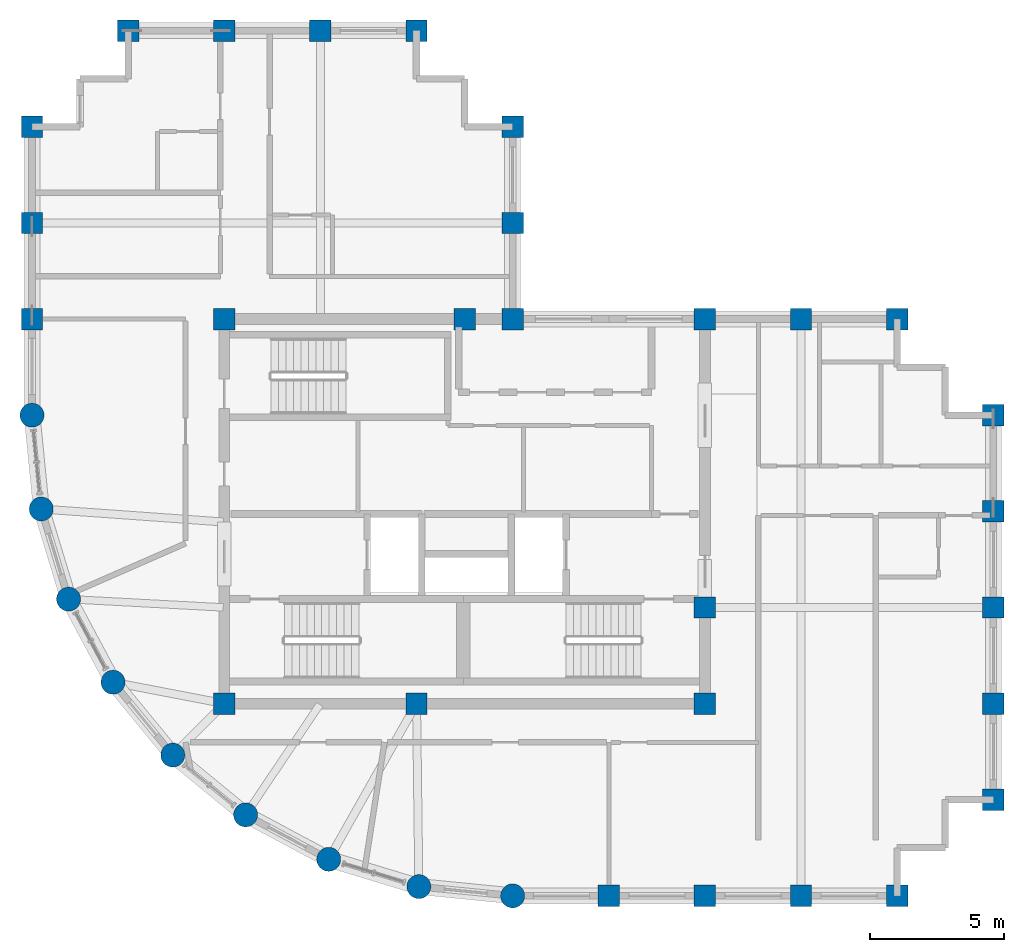
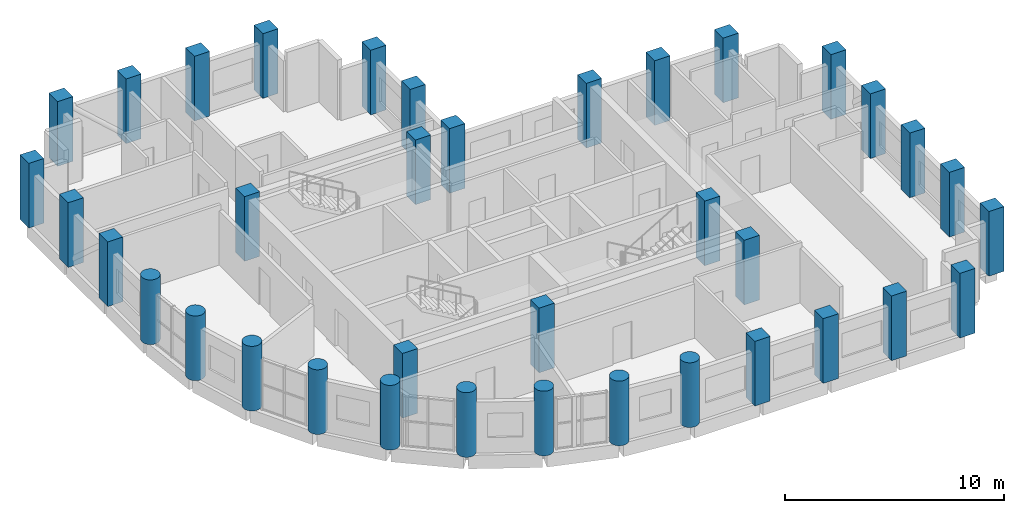
# One storey, part 1 of 11: 37 columns.
"""IFC4 building model written with IfcOpenShell, lengths in metres."""

import ifcopenshell
import ifcopenshell.guid

model = None  # the IFC model being written
_history = None  # IfcOwnerHistory: only IFC2X3 demands one
_inside = {}  # id of a spatial element -> (the spatial element, [elements in it])
_under = {}  # id of a project, library or spatial element -> (it, [spatial elements below it])
_declared = {}  # id of a project -> (the project, [libraries it declares])
_typed = {}  # id of a type object -> (the type object, [elements of that type])
_made_of = {}  # id of a material, layer set ... -> (it, [elements and type objects made of it])


def new_model(schema):
    """Start an empty IFC model of exactly this schema.

    Asked for "IFC4X3", IfcOpenShell would pick the latest addendum, in which some entities
    have other attributes; the version numbers below select the first issue.
    IFC2X3 requires an IfcOwnerHistory on every rooted entity: one is made here for all.
    """
    global model, _history
    if schema == "IFC4X3":
        model = ifcopenshell.file(schema_version=(4, 3, 0, 0))
    else:
        model = ifcopenshell.file(schema=schema)
    _inside.clear()
    _under.clear()
    _declared.clear()
    _typed.clear()
    _made_of.clear()
    _history = None
    if model.schema == "IFC2X3":
        org = make("IfcOrganization", Name="unknown")
        user = make(
            "IfcPersonAndOrganization",
            ThePerson=make("IfcPerson", FamilyName="unknown"),
            TheOrganization=org,
        )
        app = make(
            "IfcApplication",
            ApplicationDeveloper=org,
            Version="unknown",
            ApplicationFullName="unknown",
            ApplicationIdentifier="unknown",
        )
        _history = make(
            "IfcOwnerHistory",
            OwningUser=user,
            OwningApplication=app,
            ChangeAction="ADDED",
            CreationDate=0,
        )
    return model


def make(cls, **values):
    """One entity of the class cls with the attributes given. An attribute that is None is left unset."""
    return model.create_entity(
        cls, **{name: value for name, value in values.items() if value is not None}
    )


def rooted(cls, **values):
    """An entity with a GlobalId (a new one), such as an element, a storey or a relation."""
    return make(cls, GlobalId=ifcopenshell.guid.new(), OwnerHistory=_history, **values)


def si_unit(unit_type, name, prefix=None):
    """IfcSIUnit, for example si_unit("LENGTHUNIT", "METRE", prefix="MILLI")."""
    return make("IfcSIUnit", UnitType=unit_type, Prefix=prefix, Name=name)


def assignment(units):
    """IfcUnitAssignment: the units of a project."""
    return None if units is None else make("IfcUnitAssignment", Units=units)


def point(xyz):
    """IfcCartesianPoint."""
    return None if xyz is None else make("IfcCartesianPoint", Coordinates=xyz)


def direction(xyz):
    """IfcDirection."""
    return None if xyz is None else make("IfcDirection", DirectionRatios=xyz)


def frame(location, z_axis=None, x_axis=None):
    """IfcAxis2Placement3D, a coordinate frame: its origin and axes. An axis left out is left unset."""
    return make(
        "IfcAxis2Placement3D",
        Location=point(location),
        Axis=direction(z_axis),
        RefDirection=direction(x_axis),
    )


def frame_2d(location, x_axis=None):
    """IfcAxis2Placement2D, a coordinate frame in the plane: its origin and x axis."""
    return make(
        "IfcAxis2Placement2D", Location=point(location), RefDirection=direction(x_axis)
    )


def origin():
    """The frame at (0, 0, 0) with its axes left unset."""
    return frame((0.0, 0.0, 0.0))


def origin_2d():
    """The frame at (0, 0) in the plane with its x axis left unset."""
    return frame_2d((0.0, 0.0))


def place(relative_to, where):
    """IfcLocalPlacement: puts the frame where relative to a parent placement (None: the world)."""
    return make(
        "IfcLocalPlacement", PlacementRelTo=relative_to, RelativePlacement=where
    )


def context(
    kind, dimensions, precision=None, world=None, true_north=None, identifier=None
):
    """IfcGeometricRepresentationContext, for example the 3D "Model" context."""
    return make(
        "IfcGeometricRepresentationContext",
        ContextIdentifier=identifier,
        ContextType=kind,
        CoordinateSpaceDimension=dimensions,
        Precision=precision,
        WorldCoordinateSystem=world,
        TrueNorth=true_north,
    )


def subcontext(parent, identifier, kind, view, scale=None):
    """IfcGeometricRepresentationSubContext, for example "Body" below "Model"."""
    return make(
        "IfcGeometricRepresentationSubContext",
        ContextIdentifier=identifier,
        ContextType=kind,
        ParentContext=parent,
        TargetScale=scale,
        TargetView=view,
    )


def project(units=None, contexts=None):
    """IfcProject with its units and contexts."""
    return rooted(
        "IfcProject",
        Name="project",
        RepresentationContexts=contexts,
        UnitsInContext=assignment(units),
    )


def spatial(cls, under=None, at=None, **own):
    """A site, building, storey or space (cls), placed at a placement, below another one or the project."""
    s = rooted(cls, ObjectPlacement=at, **own)
    if under is not None:
        _under.setdefault(under.id(), (under, []))[1].append(s)
    return s


def profile(cls, at=None, kind="AREA", **sizes):
    """A parametric profile (cls). Its sizes go by their IFC names, for example OverallWidth=200.0."""
    return make(cls, ProfileType=kind, Position=at, **sizes)


def rectangle(**sizes):
    """IfcRectangleProfileDef."""
    return profile("IfcRectangleProfileDef", **sizes)


def circle(**sizes):
    """IfcCircleProfileDef."""
    return profile("IfcCircleProfileDef", **sizes)


def extrude(swept, where, along, depth):
    """IfcExtrudedAreaSolid: the profile swept, set in the frame where, extruded along a direction by depth."""
    return make(
        "IfcExtrudedAreaSolid",
        SweptArea=swept,
        Position=where,
        ExtrudedDirection=direction(along),
        Depth=depth,
    )


def shape(context_of_items, identifier, shape_type, items):
    """IfcShapeRepresentation: the items that make up one representation, for example the "Body"."""
    return make(
        "IfcShapeRepresentation",
        ContextOfItems=context_of_items,
        RepresentationIdentifier=identifier,
        RepresentationType=shape_type,
        Items=items,
    )


def material(Name=None, Category=None):
    """IfcMaterial."""
    return make("IfcMaterial", Name=Name, Category=Category)


def material_profile(
    of_material, cross_section, Name=None, Category=None, Priority=None
):
    """IfcMaterialProfile: a cross section and its material."""
    return make(
        "IfcMaterialProfile",
        Name=Name,
        Material=of_material,
        Profile=cross_section,
        Priority=Priority,
        Category=Category,
    )


def profile_set(profiles, Name=None, composite=None):
    """IfcMaterialProfileSet."""
    return make(
        "IfcMaterialProfileSet",
        Name=Name,
        MaterialProfiles=profiles,
        CompositeProfile=composite,
    )


def made_of(thing, what):
    """Note that an element or type object is made of a material, layer set ...; save() writes the relation."""
    if what is not None:
        _made_of.setdefault(what.id(), (what, []))[1].append(thing)
    return thing


def type_object(cls, material=None, **own):
    """A type object (cls), such as IfcWallType, which elements share."""
    return made_of(rooted(cls, **own), material)


def element(
    cls,
    number,
    at=None,
    inside=None,
    cuts=None,
    type_object=None,
    material=None,
    context=None,
    identifier="Body",
    shape_type=None,
    held_by="IfcProductDefinitionShape",
    body=None,
    shapes=None,
    **own,
):
    """One element of the class cls, such as IfcWall. Its Tag is "e" and its number.

    at: its placement. inside: the storey or other place that contains it. cuts: it is an
    opening in that element (IfcRelVoidsElement). A single representation is given by context,
    identifier, shape_type and body (its items); several are given by shapes. held_by: the class
    of the entity that holds the representations. save() writes the other relations.
    """
    e = rooted(cls, Tag="e%d" % number, ObjectPlacement=at, **own)
    if body is not None:
        shapes = [shape(context, identifier, shape_type, body)]
    if shapes is not None:
        e.Representation = make(held_by, Representations=shapes)
    if inside is not None:
        _inside.setdefault(inside.id(), (inside, []))[1].append(e)
    if cuts is not None:
        rooted(
            "IfcRelVoidsElement", RelatingBuildingElement=cuts, RelatedOpeningElement=e
        )
    if type_object is not None:
        _typed.setdefault(type_object.id(), (type_object, []))[1].append(e)
    return made_of(e, material)


def aggregate(whole, parts):
    """IfcRelAggregates: a whole, such as a stair, and the parts it consists of."""
    return rooted("IfcRelAggregates", RelatingObject=whole, RelatedObjects=parts)


def save(model, path):
    """Write the relations noted so far, then the file.

    IfcRelAggregates (storeys below a building ...), IfcRelContainedInSpatialStructure (elements
    in a storey), IfcRelDefinesByType, IfcRelAssociatesMaterial and IfcRelDeclares: one each for
    every whole, place, type object, material and project.
    """
    for whole, parts in _under.values():
        aggregate(whole, parts)
    for where, things in _inside.values():
        rooted(
            "IfcRelContainedInSpatialStructure",
            RelatedElements=things,
            RelatingStructure=where,
        )
    for kind, things in _typed.values():
        rooted("IfcRelDefinesByType", RelatedObjects=things, RelatingType=kind)
    for what, things in _made_of.values():
        rooted("IfcRelAssociatesMaterial", RelatedObjects=things, RelatingMaterial=what)
    for by, libraries in _declared.values():
        rooted("IfcRelDeclares", RelatingContext=by, RelatedDefinitions=libraries)
    model.write(path)


model = new_model("IFC4")

# Units and contexts
model_context = context("Model", 3, precision=1e-05, world=origin(), true_north=direction((0.0, 1.0)))
body_context = subcontext(model_context, "Body", "Model", "MODEL_VIEW")
ifc_project = project(units=[si_unit("LENGTHUNIT", "METRE"), si_unit("AREAUNIT", "SQUARE_METRE"), si_unit("VOLUMEUNIT", "CUBIC_METRE"), si_unit("PLANEANGLEUNIT", "RADIAN"), si_unit("MASSUNIT", "GRAM", prefix="KILO")], contexts=[model_context])

# Site, building, storey
site_placement = place(None, origin())
site = spatial("IfcSite", under=ifc_project, at=site_placement, CompositionType="ELEMENT")
building_placement = place(site_placement, origin())
building = spatial("IfcBuilding", under=site, at=building_placement, Name="Solnavia Interchange Tower", CompositionType="ELEMENT")
storey_placement = place(building_placement, frame((0.0, 0.0, 239.0)))
storey = spatial("IfcBuildingStorey", under=building, at=storey_placement, Name="L60", CompositionType="ELEMENT", Elevation=239.0)

# Columns
ifc_material = material(Name="Concrete C50/60", Category="concrete")
ifc_material_profile_1 = material_profile(ifc_material, rectangle(XDim=0.800048828125, YDim=0.800048828125, at=origin_2d()), Name="RC 800x800")
ifc_profile_set_1 = profile_set([ifc_material_profile_1], Name="Concrete C50/60")
column_type_1 = type_object("IfcColumnType", Name="Col-RC-800x800", PredefinedType="COLUMN", material=ifc_profile_set_1)
for number, where, z_axis, x_axis, name in (
    (1, (7.199951171875, 25.199951171875, 0.0), (0.0, 0.0, 1.0), (0.0, 1.0, 0.0), "COL-L60-02 Tower perim y column"),
    (2, (7.199951171875, 28.800048828125, 0.0), (0.0, 0.0, 1.0), (0.0, 1.0, 0.0), "COL-L60-03 Tower perim y column"),
    (3, (7.199951171875, 32.39990234375, 0.0), (0.0, 0.0, 1.0), (0.0, 1.0, 0.0), "COL-L60-04 Tower corner column"),
    (4, (10.800048828125, 36.0, 0.0), (0.0, 0.0, 1.0), (1.0, 0.0, 0.0), "COL-L60-08 Tower corner column"),
    (5, (14.39990234375, 10.800048828125, 0.0), (0.0, 0.0, 1.0), (1.0, 0.0, 0.0), "COL-L60-10 Tower interior column"),
    (6, (14.39990234375, 25.199951171875, 0.0), (0.0, 0.0, 1.0), (1.0, 0.0, 0.0), "COL-L60-11 Tower interior column"),
    (7, (14.39990234375, 36.0, 0.0), (0.0, 0.0, 1.0), (1.0, 0.0, 0.0), "COL-L60-12 Tower perim x column"),
    (8, (18.0, 36.0, 0.0), (0.0, 0.0, 1.0), (1.0, 0.0, 0.0), "COL-L60-14 Tower perim x column"),
    (9, (21.60009765625, 10.800048828125, 0.0), (0.0, 0.0, 1.0), (1.0, 0.0, 0.0), "COL-L60-16 Tower interior column"),
    (10, (21.60009765625, 36.0, 0.0), (0.0, 0.0, 1.0), (1.0, 0.0, 0.0), "COL-L60-17 Tower corner column"),
    (11, (23.39990234375, 25.199951171875, 0.0), (0.0, 0.0, 1.0), (1.0, 0.0, 0.0), "COL-L60-19 Tower interior column"),
    (12, (25.199951171875, 25.199951171875, 0.0), (0.0, 0.0, 1.0), (1.0, 0.0, 0.0), "COL-L60-21 Tower interior column"),
    (13, (25.199951171875, 28.800048828125, 0.0), (0.0, 0.0, 1.0), (0.0, 1.0, 0.0), "COL-L60-22 Tower perim y column"),
    (14, (25.199951171875, 32.39990234375, 0.0), (0.0, 0.0, 1.0), (0.0, 1.0, 0.0), "COL-L60-23 Tower corner column"),
    (15, (28.800048828125, 3.60009765625, 0.0), (0.0, 0.0, 1.0), (1.0, 0.0, 0.0), "COL-L60-24 Tower perim x column"),
    (16, (32.39990234375, 3.60009765625, 0.0), (0.0, 0.0, 1.0), (1.0, 0.0, 0.0), "COL-L60-25 Tower perim x column"),
    (17, (32.39990234375, 10.800048828125, 0.0), (0.0, 0.0, 1.0), (1.0, 0.0, 0.0), "COL-L60-26 Tower interior column"),
    (18, (32.39990234375, 14.39990234375, 0.0), (0.0, 0.0, 1.0), (1.0, 0.0, 0.0), "COL-L60-27 Tower interior column"),
    (19, (32.39990234375, 25.199951171875, 0.0), (0.0, 0.0, 1.0), (1.0, 0.0, 0.0), "COL-L60-28 Tower interior column"),
    (20, (36.0, 3.60009765625, 0.0), (0.0, 0.0, 1.0), (1.0, 0.0, 0.0), "COL-L60-29 Tower perim x column"),
    (21, (36.0, 25.199951171875, 0.0), (0.0, 0.0, 1.0), (1.0, 0.0, 0.0), "COL-L60-30 Tower perim x column"),
    (22, (39.60009765625, 3.60009765625, 0.0), (0.0, 0.0, 1.0), (1.0, 0.0, 0.0), "COL-L60-31 Tower corner column"),
    (23, (39.60009765625, 25.199951171875, 0.0), (0.0, 0.0, 1.0), (1.0, 0.0, 0.0), "COL-L60-32 Tower corner column"),
    (24, (43.199951171875, 7.199951171875, 0.0), (0.0, 0.0, 1.0), (1.0, 0.0, 0.0), "COL-L60-33 Tower corner column"),
    (25, (43.199951171875, 10.800048828125, 0.0), (0.0, 0.0, 1.0), (0.0, 1.0, 0.0), "COL-L60-34 Tower perim y column"),
    (26, (43.199951171875, 14.39990234375, 0.0), (0.0, 0.0, 1.0), (0.0, 1.0, 0.0), "COL-L60-35 Tower perim y column"),
    (27, (43.199951171875, 18.0, 0.0), (0.0, 0.0, 1.0), (0.0, 1.0, 0.0), "COL-L60-36 Tower perim y column"),
    (28, (43.199951171875, 21.60009765625, 0.0), (0.0, 0.0, 1.0), (0.0, 1.0, 0.0), "COL-L60-37 Tower corner column"),
):
    element("IfcColumn", number, at=place(storey_placement, frame(where, z_axis=z_axis, x_axis=x_axis)), inside=storey, type_object=column_type_1, Name=name, PredefinedType="COLUMN", context=body_context, shape_type="SweptSolid", body=[
        extrude(rectangle(XDim=0.800048828125, YDim=0.800048828125, at=origin_2d()), origin(), (0.0, 0.0, 1.0), 3.60009765625),
    ])
ifc_material_profile_2 = material_profile(ifc_material, circle(Radius=0.449951171875, at=origin_2d()), Name="RC D900")
ifc_profile_set_2 = profile_set([ifc_material_profile_2], Name="Concrete C50/60")
column_type_2 = type_object("IfcColumnType", Name="Col-RC-D900", PredefinedType="COLUMN", material=ifc_profile_set_2)
for number, where, z_axis, x_axis, name in (
    (29, (7.199951171875, 21.60009765625, 0.0), (0.0, 0.0, 1.0), (1.0, 0.0, 0.0), "COL-L60-01 Tower drum column"),
    (30, (7.5458984375, 18.087890625, 0.0), (0.0, 0.0, 1.0), (1.0, 0.0, 0.0), "COL-L60-05 Tower drum column"),
    (31, (8.570068359375, 14.7119140625, 0.0), (0.0, 0.0, 1.0), (1.0, 0.0, 0.0), "COL-L60-06 Tower drum column"),
    (32, (10.23388671875, 11.60009765625, 0.0), (0.0, 0.0, 1.0), (1.0, 0.0, 0.0), "COL-L60-07 Tower drum column"),
    (33, (12.471923828125, 8.8720703125, 0.0), (0.0, 0.0, 1.0), (1.0, 0.0, 0.0), "COL-L60-09 Tower drum column"),
    (34, (15.199951171875, 6.634033203125, 0.0), (0.0, 0.0, 1.0), (1.0, 0.0, 0.0), "COL-L60-13 Tower drum column"),
    (35, (18.31201171875, 4.969970703125, 0.0), (0.0, 0.0, 1.0), (1.0, 0.0, 0.0), "COL-L60-15 Tower drum column"),
    (36, (21.68798828125, 3.946044921875, 0.0), (0.0, 0.0, 1.0), (1.0, 0.0, 0.0), "COL-L60-18 Tower drum column"),
    (37, (25.199951171875, 3.60009765625, 0.0), (0.0, 0.0, 1.0), (1.0, 0.0, 0.0), "COL-L60-20 Tower drum column"),
):
    element("IfcColumn", number, at=place(storey_placement, frame(where, z_axis=z_axis, x_axis=x_axis)), inside=storey, type_object=column_type_2, Name=name, PredefinedType="COLUMN", context=body_context, shape_type="SweptSolid", body=[
        extrude(circle(Radius=0.449951171875, at=origin_2d()), origin(), (0.0, 0.0, 1.0), 3.60009765625),
    ])

save(model, "model.ifc")
